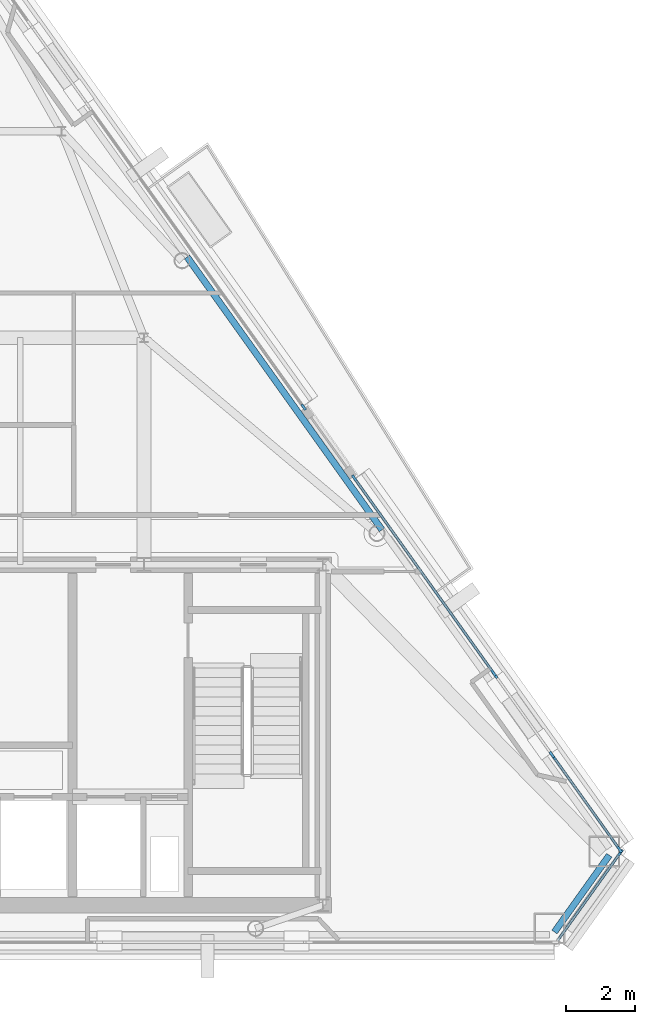
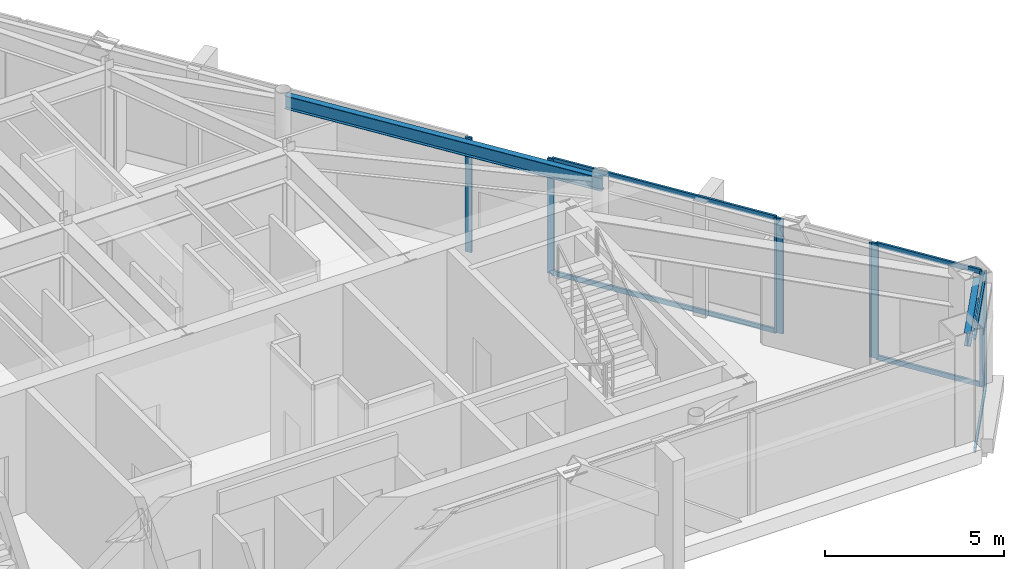
# One storey, part 6 of 12: 14 members, 2 beams, 5 elements without a shape of their own.
"""IFC4 building model written with IfcOpenShell, lengths in metres."""

from ifc_helpers import new_model, si_unit, direction, frame, origin, origin_2d, place, context, subcontext, project, spatial, rectangle, i_section, extrude, material, layer, layer_set, material_profile, profile_set, type_object, element, aggregate, save


model = new_model("IFC4")

# Units and contexts
model_context = context("Model", 3, precision=1e-05, world=origin(), true_north=direction((0.0, 1.0)))
body_context = subcontext(model_context, "Body", "Model", "MODEL_VIEW")
ifc_project = project(units=[si_unit("LENGTHUNIT", "METRE"), si_unit("AREAUNIT", "SQUARE_METRE"), si_unit("VOLUMEUNIT", "CUBIC_METRE"), si_unit("PLANEANGLEUNIT", "RADIAN"), si_unit("MASSUNIT", "GRAM", prefix="KILO")], contexts=[model_context])

# Site, building, storey
site_placement = place(None, origin())
site = spatial("IfcSite", under=ifc_project, at=site_placement, CompositionType="ELEMENT")
building_placement = place(site_placement, origin())
building = spatial("IfcBuilding", under=site, at=building_placement, Name="Talgorran Terracotta Tower", CompositionType="ELEMENT")
storey_placement = place(building_placement, frame((0.0, 0.0, 285.0)))
storey = spatial("IfcBuildingStorey", under=building, at=storey_placement, Name="L75", CompositionType="ELEMENT", Elevation=285.0)

# Beams
ifc_material_1 = material(Name="Steel S355 (300PLUS)", Category="steel")
ifc_material_profile_1 = material_profile(ifc_material_1, i_section(OverallWidth=0.18994140625, OverallDepth=0.45703125, WebThickness=0.009033203125, FlangeThickness=0.014404296875, at=origin_2d()), Name="460UB74.6")
ifc_profile_set_1 = profile_set([ifc_material_profile_1], Name="Steel S355 (300PLUS)")
beam_type = type_object("IfcBeamType", Name="BM_SP_460UB74", PredefinedType="SPANDREL", material=ifc_profile_set_1)
beam_1_placement = place(storey_placement, frame((19.131103515625, -14.87890625, 3.69140625), z_axis=(0.581322401873, 0.813673315945, 0.0), x_axis=(-0.813673315945, 0.581322401873, 0.0)))
element("IfcBeam", 1, at=beam_1_placement, inside=storey, type_object=beam_type, Name="L75 Perimeter Spandrel Beam MC3-MC4", PredefinedType="SPANDREL", context=body_context, shape_type="SweptSolid", body=[
    extrude(i_section(OverallWidth=0.18994140625, OverallDepth=0.45703125, WebThickness=0.009033203125, FlangeThickness=0.014404296875, at=origin_2d()), origin(), (0.0, 0.0, 1.0), 2.742431640625),
])
beam_2_placement = place(storey_placement, frame((14.116943359375, -3.18701171875, 3.69140625), z_axis=(-0.58124293337, 0.813730085721, 0.0), x_axis=(-0.813730085721, -0.58124293337, 0.0)))
element("IfcBeam", 2, at=beam_2_placement, inside=storey, type_object=beam_type, Name="L75 Perimeter Spandrel Beam FC3-FC4", PredefinedType="SPANDREL", context=body_context, shape_type="SweptSolid", body=[
    extrude(i_section(OverallWidth=0.18994140625, OverallDepth=0.45703125, WebThickness=0.009033203125, FlangeThickness=0.014404296875, at=origin_2d()), origin(), (0.0, 0.0, 1.0), 9.7451171875),
])

# Curtain wall, member
ifc_material_2 = material(Name="High-Wind Unitised Glazing", Category="glass")
ifc_layer = layer(ifc_material_2, 0.2099609375, Name="CW_SYS3_RES_HIGH")
ifc_layer_set = layer_set([ifc_layer], Name="High-Wind Unitised Glazing")
curtain_wall_type = type_object("IfcCurtainWallType", Name="CW_SYS3_RES_HIGH", PredefinedType="NOTDEFINED", material=ifc_layer_set)
curtain_wall_1_placement = place(storey_placement, origin())
curtain_wall_1 = element("IfcCurtainWall", 3, at=curtain_wall_1_placement, inside=storey, type_object=curtain_wall_type, Name="CW-L75-F2", PredefinedType="NOTDEFINED")
ifc_material_3 = material(Name="Architectural Aluminium 6063-T6", Category="aluminium")
ifc_material_profile_2 = material_profile(ifc_material_3, rectangle(XDim=0.070068359375, YDim=0.199951171875, at=origin_2d()), Name="CWM70X200")
ifc_profile_set_2 = profile_set([ifc_material_profile_2], Name="Architectural Aluminium 6063-T6")
member_type_1 = type_object("IfcMemberType", Name="MUL_70X200", PredefinedType="MULLION", material=ifc_profile_set_2)
member_1_placement = place(storey_placement, frame((21.050048828125, -12.5712890625, 0.0), z_axis=(0.0, 0.0, 1.0), x_axis=(-0.813720935413, 0.58125574343, 0.0)))
member_1 = element("IfcMember", 4, at=member_1_placement, type_object=member_type_1, Name="CW-L75-2 mullion 2", PredefinedType="MULLION", context=body_context, shape_type="SweptSolid", body=[
    extrude(rectangle(XDim=0.070068359375, YDim=0.199951171875, at=origin_2d()), origin(), (0.0, 0.0, 1.0), 3.919921875),
])

# Curtain wall, members
curtain_wall_2_placement = place(storey_placement, origin())
curtain_wall_2 = element("IfcCurtainWall", 5, at=curtain_wall_2_placement, inside=storey, type_object=curtain_wall_type, Name="CW-L75-F40", PredefinedType="NOTDEFINED")
member_2_placement = place(storey_placement, frame((21.026611328125, -12.48193359375, 0.0), z_axis=(0.0, 0.0, 1.0), x_axis=(-0.813735469611, -0.581235395943, 0.0)))
member_2 = element("IfcMember", 6, at=member_2_placement, type_object=member_type_1, Name="CW-L75-40 mullion 1", PredefinedType="MULLION", context=body_context, shape_type="SweptSolid", body=[
    extrude(rectangle(XDim=0.070068359375, YDim=0.199951171875, at=origin_2d()), origin(), (0.0, 0.0, 1.0), 3.919921875),
])
member_3_placement = place(storey_placement, frame((19.10205078125, -9.78759765625, 0.0), z_axis=(0.0, 0.0, 1.0), x_axis=(-0.813735469611, -0.581235395943, 0.0)))
member_3 = element("IfcMember", 7, at=member_3_placement, type_object=member_type_1, Name="CW-L75-40 mullion 2", PredefinedType="MULLION", context=body_context, shape_type="SweptSolid", body=[
    extrude(rectangle(XDim=0.070068359375, YDim=0.199951171875, at=origin_2d()), origin(), (0.0, 0.0, 1.0), 3.919921875),
])

curtain_wall_3_placement = place(storey_placement, origin())
curtain_wall_3 = element("IfcCurtainWall", 8, at=curtain_wall_3_placement, inside=storey, type_object=curtain_wall_type, Name="CW-L75-F40B", PredefinedType="NOTDEFINED")
member_4_placement = place(storey_placement, frame((19.0556640625, -9.722412109375, 0.0), z_axis=(0.0, 0.0, 1.0), x_axis=(-0.813735794752, -0.581234940743, 0.0)))
member_4 = element("IfcMember", 9, at=member_4_placement, type_object=member_type_1, Name="CW-L75-40B mullion 1", PredefinedType="MULLION", context=body_context, shape_type="SweptSolid", body=[
    extrude(rectangle(XDim=0.070068359375, YDim=0.199951171875, at=origin_2d()), origin(), (0.0, 0.0, 1.0), 3.919921875),
])
member_5_placement = place(storey_placement, frame((17.406005859375, -7.4130859375, 0.0), z_axis=(0.0, 0.0, 1.0), x_axis=(-0.813735794752, -0.581234940743, 0.0)))
member_5 = element("IfcMember", 10, at=member_5_placement, type_object=member_type_1, Name="CW-L75-40B mullion 2", PredefinedType="MULLION", context=body_context, shape_type="SweptSolid", body=[
    extrude(rectangle(XDim=0.070068359375, YDim=0.199951171875, at=origin_2d()), origin(), (0.0, 0.0, 1.0), 3.919921875),
])
aggregate(curtain_wall_3, [member_4, member_5])

curtain_wall_4_placement = place(storey_placement, origin())
curtain_wall_4 = element("IfcCurtainWall", 11, at=curtain_wall_4_placement, inside=storey, type_object=curtain_wall_type, Name="CW-L75-F40C", PredefinedType="NOTDEFINED")
member_6_placement = place(storey_placement, frame((17.359619140625, -7.347900390625, 0.0), z_axis=(0.0, 0.0, 1.0), x_axis=(-0.813725790009, -0.581248947246, 0.0)))
member_6 = element("IfcMember", 12, at=member_6_placement, type_object=member_type_1, Name="CW-L75-40C mullion 1", PredefinedType="MULLION", context=body_context, shape_type="SweptSolid", body=[
    extrude(rectangle(XDim=0.070068359375, YDim=0.199951171875, at=origin_2d()), origin(), (0.0, 0.0, 1.0), 3.919921875),
])
member_7_placement = place(storey_placement, frame((13.309814453125, -1.678466796875, 0.0), z_axis=(0.0, 0.0, 1.0), x_axis=(-0.813725790009, -0.581248947246, 0.0)))
member_7 = element("IfcMember", 13, at=member_7_placement, type_object=member_type_1, Name="CW-L75-40C mullion 2", PredefinedType="MULLION", context=body_context, shape_type="SweptSolid", body=[
    extrude(rectangle(XDim=0.070068359375, YDim=0.199951171875, at=origin_2d()), origin(), (0.0, 0.0, 1.0), 3.919921875),
])

# Curtain wall, member
curtain_wall_5_placement = place(storey_placement, origin())
curtain_wall_5 = element("IfcCurtainWall", 14, at=curtain_wall_5_placement, inside=storey, type_object=curtain_wall_type, Name="CW-L75-F41", PredefinedType="NOTDEFINED")
member_8_placement = place(storey_placement, frame((11.83935546875, 0.380126953125, 0.0), z_axis=(0.0, 0.0, 1.0), x_axis=(-0.81372595479, -0.581248716559, 0.0)))
member_8 = element("IfcMember", 15, at=member_8_placement, type_object=member_type_1, Name="CW-L75-41 mullion 1", PredefinedType="MULLION", context=body_context, shape_type="SweptSolid", body=[
    extrude(rectangle(XDim=0.070068359375, YDim=0.199951171875, at=origin_2d()), origin(), (0.0, 0.0, 1.0), 3.919921875),
])
aggregate(curtain_wall_5, [member_8])

# Member
ifc_material_profile_3 = material_profile(ifc_material_3, rectangle(XDim=0.070068359375, YDim=0.159912109375, at=origin_2d()), Name="CWT70X160")
ifc_profile_set_3 = profile_set([ifc_material_profile_3], Name="Architectural Aluminium 6063-T6")
member_type_2 = type_object("IfcMemberType", Name="TRN_70X160", PredefinedType="USERDEFINED", material=ifc_profile_set_3)
member_9_placement = place(storey_placement, frame((19.231201171875, -15.117431640625, 0.034912109375), z_axis=(0.581253122593, 0.813722807518, 0.0), x_axis=(-0.813722807518, 0.581253122593, 0.0)))
member_9 = element("IfcMember", 16, at=member_9_placement, type_object=member_type_2, Name="CW-L75-2 transom 1.1", ObjectType="TRANSOM", PredefinedType="USERDEFINED", context=body_context, shape_type="SweptSolid", body=[
    extrude(rectangle(XDim=0.070068359375, YDim=0.159912109375, at=origin_2d()), origin(), (0.0, 0.0, 1.0), 3.093994140625),
])

member_10_placement = place(storey_placement, frame((19.231201171875, -15.117431640625, 3.885009765625), z_axis=(0.581253122593, 0.813722807518, 0.0), x_axis=(-0.813722807518, 0.581253122593, 0.0)))
member_10 = element("IfcMember", 17, at=member_10_placement, type_object=member_type_2, Name="CW-L75-2 transom 1.2", ObjectType="TRANSOM", PredefinedType="USERDEFINED", context=body_context, shape_type="SweptSolid", body=[
    extrude(rectangle(XDim=0.070068359375, YDim=0.159912109375, at=origin_2d()), origin(), (0.0, 0.0, 1.0), 3.093994140625),
])

aggregate(curtain_wall_1, [member_1, member_9, member_10])

member_11_placement = place(storey_placement, frame((21.00634765625, -12.453369140625, 0.034912109375), z_axis=(-0.58121681717, 0.813748739747, 0.0), x_axis=(-0.813748739747, -0.58121681717, 0.0)))
member_11 = element("IfcMember", 18, at=member_11_placement, type_object=member_type_2, Name="CW-L75-40 transom 1.1", ObjectType="TRANSOM", PredefinedType="USERDEFINED", context=body_context, shape_type="SweptSolid", body=[
    extrude(rectangle(XDim=0.070068359375, YDim=0.159912109375, at=origin_2d()), origin(), (0.0, 0.0, 1.0), 3.2412109375),
])

member_12_placement = place(storey_placement, frame((21.00634765625, -12.453369140625, 3.885009765625), z_axis=(-0.58121681717, 0.813748739747, 0.0), x_axis=(-0.813748739747, -0.58121681717, 0.0)))
member_12 = element("IfcMember", 19, at=member_12_placement, type_object=member_type_2, Name="CW-L75-40 transom 1.2", ObjectType="TRANSOM", PredefinedType="USERDEFINED", context=body_context, shape_type="SweptSolid", body=[
    extrude(rectangle(XDim=0.070068359375, YDim=0.159912109375, at=origin_2d()), origin(), (0.0, 0.0, 1.0), 3.2412109375),
])

aggregate(curtain_wall_2, [member_2, member_3, member_11, member_12])

member_13_placement = place(storey_placement, frame((17.339111328125, -7.3193359375, 0.034912109375), z_axis=(-0.581261632334, 0.813716728829, 0.0), x_axis=(-0.813716728829, -0.581261632334, 0.0)))
member_13 = element("IfcMember", 20, at=member_13_placement, type_object=member_type_2, Name="CW-L75-40C transom 1.1", ObjectType="TRANSOM", PredefinedType="USERDEFINED", context=body_context, shape_type="SweptSolid", body=[
    extrude(rectangle(XDim=0.070068359375, YDim=0.159912109375, at=origin_2d()), origin(), (0.0, 0.0, 1.0), 6.897216796875),
])

member_14_placement = place(storey_placement, frame((17.339111328125, -7.3193359375, 3.885009765625), z_axis=(-0.581261632334, 0.813716728829, 0.0), x_axis=(-0.813716728829, -0.581261632334, 0.0)))
member_14 = element("IfcMember", 21, at=member_14_placement, type_object=member_type_2, Name="CW-L75-40C transom 1.2", ObjectType="TRANSOM", PredefinedType="USERDEFINED", context=body_context, shape_type="SweptSolid", body=[
    extrude(rectangle(XDim=0.070068359375, YDim=0.159912109375, at=origin_2d()), origin(), (0.0, 0.0, 1.0), 6.897216796875),
])

aggregate(curtain_wall_4, [member_6, member_7, member_13, member_14])

save(model, "model.ifc")
